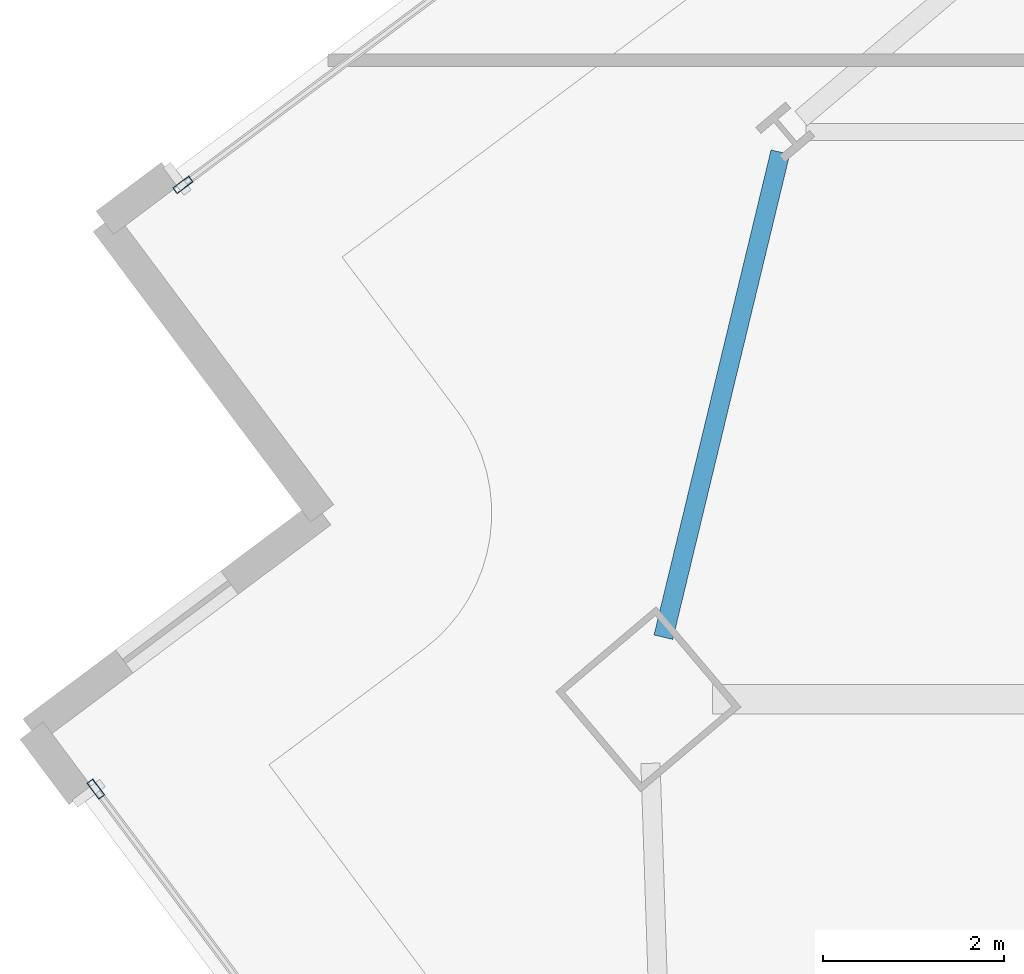
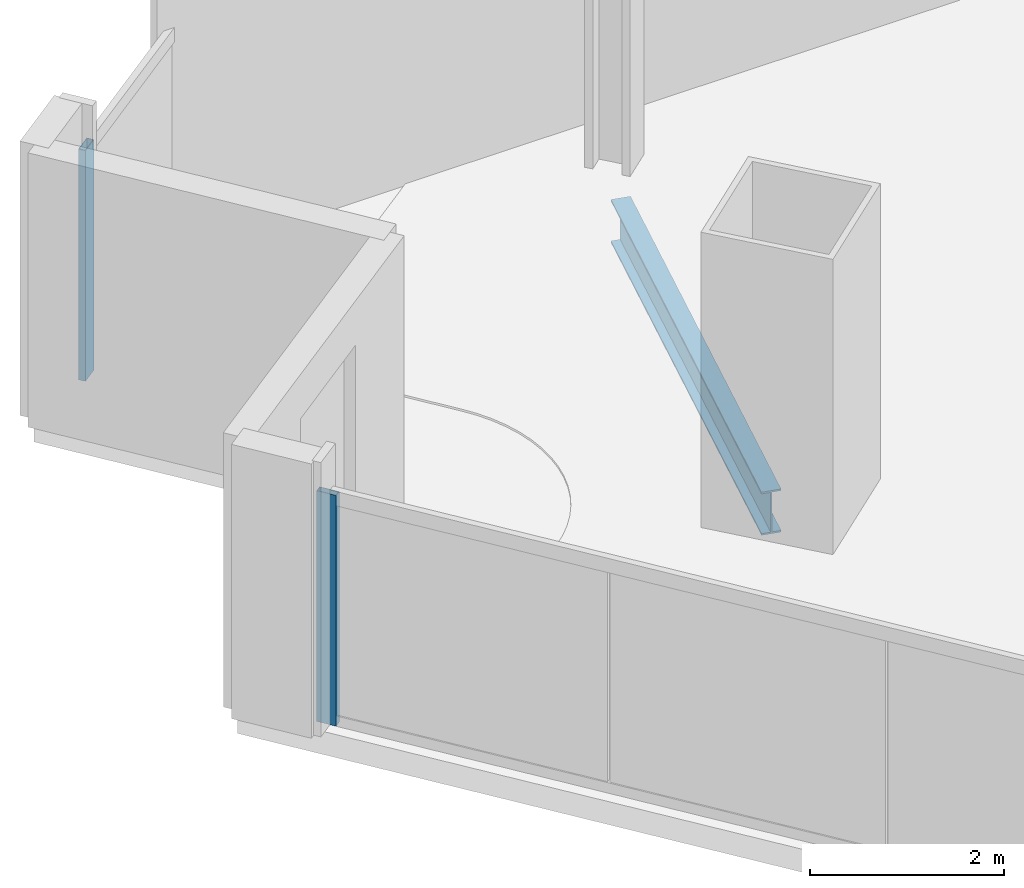
# One storey, part 12 of 32: 2 members, 1 beam, 2 elements without a shape of their own.
"""IFC4 building model written with IfcOpenShell, lengths in metres."""

from ifc_helpers import new_model, si_unit, direction, frame, origin, origin_2d, place, context, subcontext, project, spatial, hollow_rectangle, i_section, extrude, material, material_profile, profile_set, type_object, element, aggregate, save


model = new_model("IFC4")

# Units and contexts
model_context = context("Model", 3, precision=1e-05, world=origin(), true_north=direction((0.0, 1.0)))
body_context = subcontext(model_context, "Body", "Model", "MODEL_VIEW")
ifc_project = project(units=[si_unit("LENGTHUNIT", "METRE"), si_unit("AREAUNIT", "SQUARE_METRE"), si_unit("VOLUMEUNIT", "CUBIC_METRE"), si_unit("PLANEANGLEUNIT", "RADIAN"), si_unit("MASSUNIT", "GRAM", prefix="KILO")], contexts=[model_context])

# Site, building, storey
site_placement = place(None, origin())
site = spatial("IfcSite", under=ifc_project, at=site_placement, CompositionType="ELEMENT")
building_placement = place(site_placement, origin())
building = spatial("IfcBuilding", under=site, at=building_placement, Name="Haldenkirk Collegiate Tower", CompositionType="ELEMENT")
storey_placement = place(building_placement, frame((0.0, 0.0, 151.949951171875)))
storey = spatial("IfcBuildingStorey", under=building, at=storey_placement, Name="L37", CompositionType="ELEMENT", Elevation=151.949951171875)

# Beam
ifc_material_1 = material(Name="Steel ASTM A992 Grade 50", Category="steel")
ifc_material_profile_1 = material_profile(ifc_material_1, i_section(OverallWidth=0.2119140625, OverallDepth=0.5439453125, WebThickness=0.01318359375, FlangeThickness=0.021240234375, at=origin_2d()), Name="W21X83")
ifc_profile_set_1 = profile_set([ifc_material_profile_1], Name="Steel ASTM A992 Grade 50")
beam_type = type_object("IfcBeamType", Name="BM-SPANDREL-W21X83", PredefinedType="SPANDREL", material=ifc_profile_set_1)
beam_placement = place(storey_placement, frame((12.21630859375, 33.137451171875, -0.56201171875), z_axis=(-0.234477140293, -0.972121633686, 0.0), x_axis=(0.972121633686, -0.234477140293, 0.0)))
element("IfcBeam", 1, at=beam_placement, inside=storey, type_object=beam_type, Name="L37 perimeter spandrel beam 12", PredefinedType="SPANDREL", context=body_context, shape_type="SweptSolid", body=[
    extrude(i_section(OverallWidth=0.2119140625, OverallDepth=0.5439453125, WebThickness=0.01318359375, FlangeThickness=0.021240234375, at=origin_2d()), origin(), (0.0, 0.0, 1.0), 5.501708984375),
])

# Curtain wall, member
ifc_material_2 = material(Name="Anodised architectural bronze aluminium", Category="aluminium")
curtain_wall_type = type_object("IfcCurtainWallType", Name="CW-SYS1-CONVEX-LOW", PredefinedType="USERDEFINED", material=ifc_material_2)
curtain_wall_1_placement = place(storey_placement, origin())
curtain_wall_1 = element("IfcCurtainWall", 2, at=curtain_wall_1_placement, inside=storey, type_object=curtain_wall_type, Name="L37 Lower tower convex bronze-framed unitised curtain wall", ObjectType="UNITISED CURTAIN WALL", PredefinedType="USERDEFINED")
ifc_material_profile_2 = material_profile(ifc_material_2, hollow_rectangle(XDim=0.080078125, YDim=0.219970703125, WallThickness=0.0048828125, at=origin_2d()), Name="CW-MUL-1A")
ifc_profile_set_2 = profile_set([ifc_material_profile_2], Name="Anodised architectural bronze aluminium")
member_type = type_object("IfcMemberType", Name="CW-MUL-1A", PredefinedType="MULLION", material=ifc_profile_set_2)
member_1_placement = place(storey_placement, frame((5.628173828125, 32.777099609375, 0.0), z_axis=(0.0, 0.0, 1.0), x_axis=(-0.599025366751, 0.800730048136, 0.0)))
member_1 = element("IfcMember", 3, at=member_1_placement, type_object=member_type, Name="CW-1A mullion 1", PredefinedType="MULLION", context=body_context, shape_type="SweptSolid", body=[
    extrude(hollow_rectangle(XDim=0.080078125, YDim=0.219970703125, WallThickness=0.0048828125, at=origin_2d()), origin(), (0.0, 0.0, 1.0), 2.9111328125),
])
aggregate(curtain_wall_1, [member_1])

curtain_wall_2_placement = place(storey_placement, origin())
curtain_wall_2 = element("IfcCurtainWall", 4, at=curtain_wall_2_placement, inside=storey, type_object=curtain_wall_type, Name="L37 Lower tower convex bronze-framed unitised curtain wall", ObjectType="UNITISED CURTAIN WALL", PredefinedType="USERDEFINED")
member_2_placement = place(storey_placement, frame((4.66796875, 26.1142578125, 0.0), z_axis=(0.0, 0.0, 1.0), x_axis=(-0.800730460187, -0.599024815954, 0.0)))
member_2 = element("IfcMember", 5, at=member_2_placement, type_object=member_type, Name="CW-1A mullion 5", PredefinedType="MULLION", context=body_context, shape_type="SweptSolid", body=[
    extrude(hollow_rectangle(XDim=0.080078125, YDim=0.219970703125, WallThickness=0.0048828125, at=origin_2d()), origin(), (0.0, 0.0, 1.0), 2.9111328125),
])
aggregate(curtain_wall_2, [member_2])

save(model, "model.ifc")
